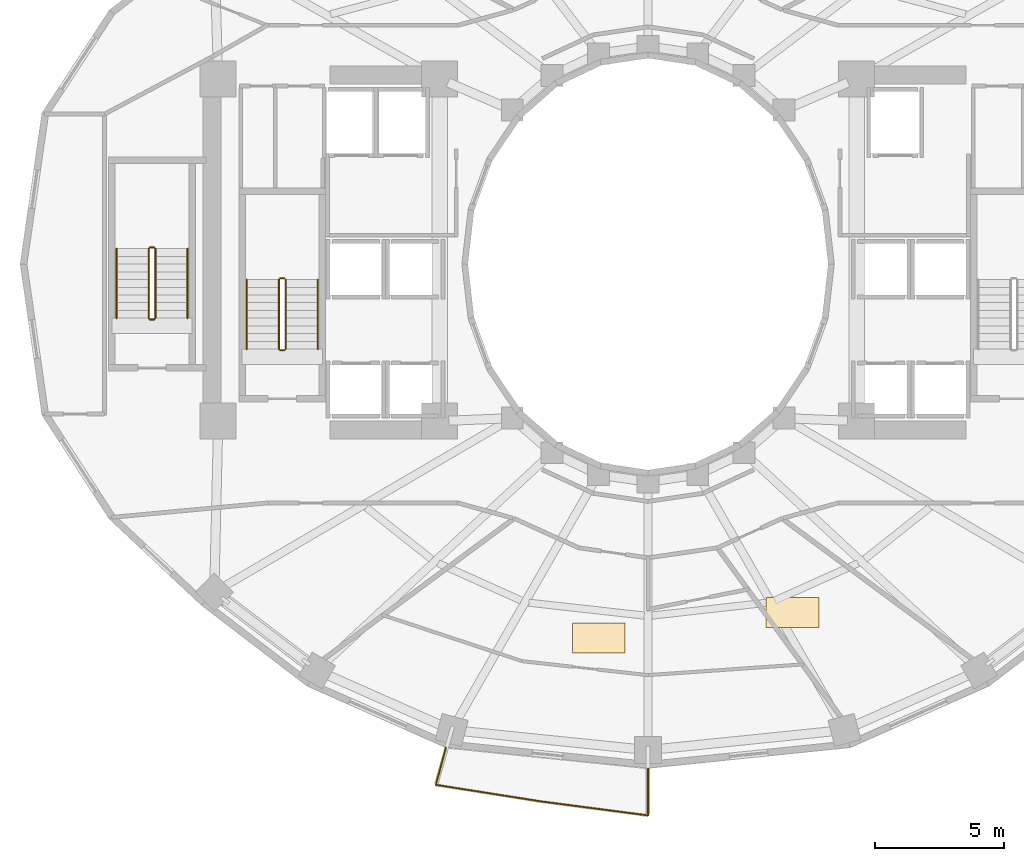
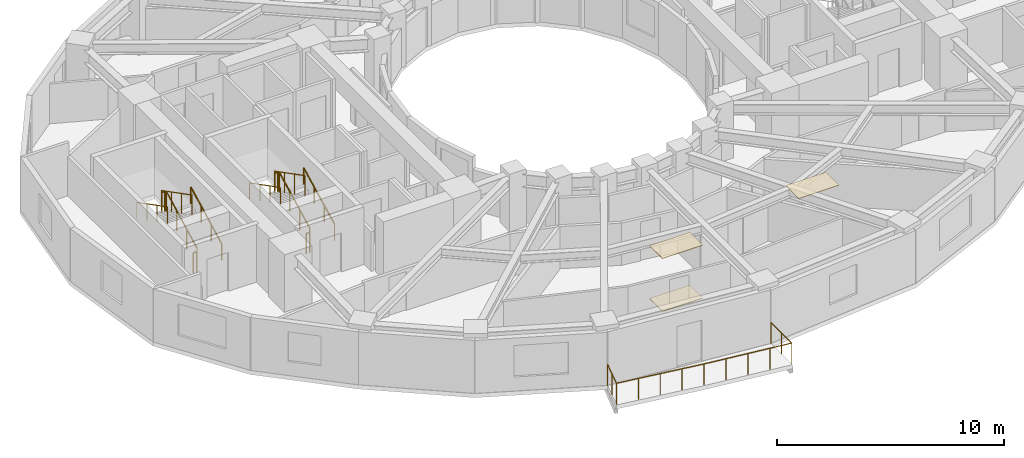
# One storey, part 8 of 9: 13 railings, 3 coverings.
"""IFC4 building model written with IfcOpenShell, lengths in metres."""

import ifcopenshell
import ifcopenshell.guid

model = None  # the IFC model being written
_history = None  # IfcOwnerHistory: only IFC2X3 demands one
_inside = {}  # id of a spatial element -> (the spatial element, [elements in it])
_under = {}  # id of a project, library or spatial element -> (it, [spatial elements below it])
_declared = {}  # id of a project -> (the project, [libraries it declares])
_typed = {}  # id of a type object -> (the type object, [elements of that type])
_made_of = {}  # id of a material, layer set ... -> (it, [elements and type objects made of it])


def new_model(schema):
    """Start an empty IFC model of exactly this schema.

    Asked for "IFC4X3", IfcOpenShell would pick the latest addendum, in which some entities
    have other attributes; the version numbers below select the first issue.
    IFC2X3 requires an IfcOwnerHistory on every rooted entity: one is made here for all.
    """
    global model, _history
    if schema == "IFC4X3":
        model = ifcopenshell.file(schema_version=(4, 3, 0, 0))
    else:
        model = ifcopenshell.file(schema=schema)
    _inside.clear()
    _under.clear()
    _declared.clear()
    _typed.clear()
    _made_of.clear()
    _history = None
    if model.schema == "IFC2X3":
        org = make("IfcOrganization", Name="unknown")
        user = make(
            "IfcPersonAndOrganization",
            ThePerson=make("IfcPerson", FamilyName="unknown"),
            TheOrganization=org,
        )
        app = make(
            "IfcApplication",
            ApplicationDeveloper=org,
            Version="unknown",
            ApplicationFullName="unknown",
            ApplicationIdentifier="unknown",
        )
        _history = make(
            "IfcOwnerHistory",
            OwningUser=user,
            OwningApplication=app,
            ChangeAction="ADDED",
            CreationDate=0,
        )
    return model


def make(cls, **values):
    """One entity of the class cls with the attributes given. An attribute that is None is left unset."""
    return model.create_entity(
        cls, **{name: value for name, value in values.items() if value is not None}
    )


def rooted(cls, **values):
    """An entity with a GlobalId (a new one), such as an element, a storey or a relation."""
    return make(cls, GlobalId=ifcopenshell.guid.new(), OwnerHistory=_history, **values)


def si_unit(unit_type, name, prefix=None):
    """IfcSIUnit, for example si_unit("LENGTHUNIT", "METRE", prefix="MILLI")."""
    return make("IfcSIUnit", UnitType=unit_type, Prefix=prefix, Name=name)


def assignment(units):
    """IfcUnitAssignment: the units of a project."""
    return None if units is None else make("IfcUnitAssignment", Units=units)


def point(xyz):
    """IfcCartesianPoint."""
    return None if xyz is None else make("IfcCartesianPoint", Coordinates=xyz)


def direction(xyz):
    """IfcDirection."""
    return None if xyz is None else make("IfcDirection", DirectionRatios=xyz)


def frame(location, z_axis=None, x_axis=None):
    """IfcAxis2Placement3D, a coordinate frame: its origin and axes. An axis left out is left unset."""
    return make(
        "IfcAxis2Placement3D",
        Location=point(location),
        Axis=direction(z_axis),
        RefDirection=direction(x_axis),
    )


def frame_2d(location, x_axis=None):
    """IfcAxis2Placement2D, a coordinate frame in the plane: its origin and x axis."""
    return make(
        "IfcAxis2Placement2D", Location=point(location), RefDirection=direction(x_axis)
    )


def origin():
    """The frame at (0, 0, 0) with its axes left unset."""
    return frame((0.0, 0.0, 0.0))


def origin_2d():
    """The frame at (0, 0) in the plane with its x axis left unset."""
    return frame_2d((0.0, 0.0))


def place(relative_to, where):
    """IfcLocalPlacement: puts the frame where relative to a parent placement (None: the world)."""
    return make(
        "IfcLocalPlacement", PlacementRelTo=relative_to, RelativePlacement=where
    )


def context(
    kind, dimensions, precision=None, world=None, true_north=None, identifier=None
):
    """IfcGeometricRepresentationContext, for example the 3D "Model" context."""
    return make(
        "IfcGeometricRepresentationContext",
        ContextIdentifier=identifier,
        ContextType=kind,
        CoordinateSpaceDimension=dimensions,
        Precision=precision,
        WorldCoordinateSystem=world,
        TrueNorth=true_north,
    )


def subcontext(parent, identifier, kind, view, scale=None):
    """IfcGeometricRepresentationSubContext, for example "Body" below "Model"."""
    return make(
        "IfcGeometricRepresentationSubContext",
        ContextIdentifier=identifier,
        ContextType=kind,
        ParentContext=parent,
        TargetScale=scale,
        TargetView=view,
    )


def project(units=None, contexts=None):
    """IfcProject with its units and contexts."""
    return rooted(
        "IfcProject",
        Name="project",
        RepresentationContexts=contexts,
        UnitsInContext=assignment(units),
    )


def spatial(cls, under=None, at=None, **own):
    """A site, building, storey or space (cls), placed at a placement, below another one or the project."""
    s = rooted(cls, ObjectPlacement=at, **own)
    if under is not None:
        _under.setdefault(under.id(), (under, []))[1].append(s)
    return s


def polyline(points):
    """IfcPolyline through the points."""
    return make("IfcPolyline", Points=[point(p) for p in points])


def profile(cls, at=None, kind="AREA", **sizes):
    """A parametric profile (cls). Its sizes go by their IFC names, for example OverallWidth=200.0."""
    return make(cls, ProfileType=kind, Position=at, **sizes)


def circle(**sizes):
    """IfcCircleProfileDef."""
    return profile("IfcCircleProfileDef", **sizes)


def outline(outer, holes=None, kind="AREA"):
    """IfcArbitraryClosedProfileDef: a profile drawn as a closed curve; with holes, ...WithVoids."""
    if holes is None:
        return make("IfcArbitraryClosedProfileDef", ProfileType=kind, OuterCurve=outer)
    return make(
        "IfcArbitraryProfileDefWithVoids",
        ProfileType=kind,
        OuterCurve=outer,
        InnerCurves=holes,
    )


def extrude(swept, where, along, depth):
    """IfcExtrudedAreaSolid: the profile swept, set in the frame where, extruded along a direction by depth."""
    return make(
        "IfcExtrudedAreaSolid",
        SweptArea=swept,
        Position=where,
        ExtrudedDirection=direction(along),
        Depth=depth,
    )


def shape(context_of_items, identifier, shape_type, items):
    """IfcShapeRepresentation: the items that make up one representation, for example the "Body"."""
    return make(
        "IfcShapeRepresentation",
        ContextOfItems=context_of_items,
        RepresentationIdentifier=identifier,
        RepresentationType=shape_type,
        Items=items,
    )


def material(Name=None, Category=None):
    """IfcMaterial."""
    return make("IfcMaterial", Name=Name, Category=Category)


def layer(
    of_material, thickness, ventilated=None, Name=None, Category=None, Priority=None
):
    """IfcMaterialLayer: one layer of a wall or slab, of a material (None: an air gap)."""
    return make(
        "IfcMaterialLayer",
        Material=of_material,
        LayerThickness=thickness,
        IsVentilated=ventilated,
        Name=Name,
        Category=Category,
        Priority=Priority,
    )


def layer_set(layers, Name=None):
    """IfcMaterialLayerSet."""
    return make("IfcMaterialLayerSet", MaterialLayers=layers, LayerSetName=Name)


def made_of(thing, what):
    """Note that an element or type object is made of a material, layer set ...; save() writes the relation."""
    if what is not None:
        _made_of.setdefault(what.id(), (what, []))[1].append(thing)
    return thing


def type_object(cls, material=None, **own):
    """A type object (cls), such as IfcWallType, which elements share."""
    return made_of(rooted(cls, **own), material)


def element(
    cls,
    number,
    at=None,
    inside=None,
    cuts=None,
    type_object=None,
    material=None,
    context=None,
    identifier="Body",
    shape_type=None,
    held_by="IfcProductDefinitionShape",
    body=None,
    shapes=None,
    **own,
):
    """One element of the class cls, such as IfcWall. Its Tag is "e" and its number.

    at: its placement. inside: the storey or other place that contains it. cuts: it is an
    opening in that element (IfcRelVoidsElement). A single representation is given by context,
    identifier, shape_type and body (its items); several are given by shapes. held_by: the class
    of the entity that holds the representations. save() writes the other relations.
    """
    e = rooted(cls, Tag="e%d" % number, ObjectPlacement=at, **own)
    if body is not None:
        shapes = [shape(context, identifier, shape_type, body)]
    if shapes is not None:
        e.Representation = make(held_by, Representations=shapes)
    if inside is not None:
        _inside.setdefault(inside.id(), (inside, []))[1].append(e)
    if cuts is not None:
        rooted(
            "IfcRelVoidsElement", RelatingBuildingElement=cuts, RelatedOpeningElement=e
        )
    if type_object is not None:
        _typed.setdefault(type_object.id(), (type_object, []))[1].append(e)
    return made_of(e, material)


def aggregate(whole, parts):
    """IfcRelAggregates: a whole, such as a stair, and the parts it consists of."""
    return rooted("IfcRelAggregates", RelatingObject=whole, RelatedObjects=parts)


def save(model, path):
    """Write the relations noted so far, then the file.

    IfcRelAggregates (storeys below a building ...), IfcRelContainedInSpatialStructure (elements
    in a storey), IfcRelDefinesByType, IfcRelAssociatesMaterial and IfcRelDeclares: one each for
    every whole, place, type object, material and project.
    """
    for whole, parts in _under.values():
        aggregate(whole, parts)
    for where, things in _inside.values():
        rooted(
            "IfcRelContainedInSpatialStructure",
            RelatedElements=things,
            RelatingStructure=where,
        )
    for kind, things in _typed.values():
        rooted("IfcRelDefinesByType", RelatedObjects=things, RelatingType=kind)
    for what, things in _made_of.values():
        rooted("IfcRelAssociatesMaterial", RelatedObjects=things, RelatingMaterial=what)
    for by, libraries in _declared.values():
        rooted("IfcRelDeclares", RelatingContext=by, RelatedDefinitions=libraries)
    model.write(path)


model = new_model("IFC4")

# Units and contexts
model_context = context("Model", 3, precision=1e-05, world=origin(), true_north=direction((0.0, 1.0)))
body_context = subcontext(model_context, "Body", "Model", "MODEL_VIEW")
ifc_project = project(units=[si_unit("LENGTHUNIT", "METRE"), si_unit("AREAUNIT", "SQUARE_METRE"), si_unit("VOLUMEUNIT", "CUBIC_METRE"), si_unit("PLANEANGLEUNIT", "RADIAN"), si_unit("MASSUNIT", "GRAM", prefix="KILO")], contexts=[model_context])

# Site, building, storey
site_placement = place(None, origin())
site = spatial("IfcSite", under=ifc_project, at=site_placement, CompositionType="ELEMENT")
building_placement = place(site_placement, origin())
building = spatial("IfcBuilding", under=site, at=building_placement, Name="Solvane Sanctuary Tower", CompositionType="ELEMENT")
storey_placement = place(building_placement, frame((0.0, 0.0, 98.0)))
storey = spatial("IfcBuildingStorey", under=building, at=storey_placement, Name="L29", CompositionType="ELEMENT", Elevation=98.0)

# Coverings
ifc_material_1 = material(Name="Acoustic Gypsum Partition Board")
ifc_layer_1 = layer(ifc_material_1, 0.02490234375, Name="Acoustic Gypsum Partition Board")
ifc_layer_set_1 = layer_set([ifc_layer_1], Name="Acoustic Gypsum Partition Board")
covering_type_1 = type_object("IfcCoveringType", Name="Covering CLG-ACOUST", PredefinedType="CEILING", material=ifc_layer_set_1)
covering_1_placement = place(storey_placement, frame((0.0, 0.0, 2.85009765625)))
element("IfcCovering", 1, at=covering_1_placement, inside=storey, type_object=covering_type_1, Name="L29 Unit Acoustic Ceiling Panel 3", PredefinedType="CEILING", context=body_context, shape_type="SweptSolid", body=[
    extrude(outline(polyline([(29.06298828125, 7.89990234375), (31.113037109375, 7.89990234375), (31.113037109375, 9.050048828125), (29.06298828125, 9.050048828125), (29.06298828125, 7.89990234375)])), origin(), (0.0, 0.0, 1.0), 0.02978515625),
])
covering_2_placement = place(storey_placement, frame((0.0, 0.0, 2.85009765625)))
element("IfcCovering", 2, at=covering_2_placement, inside=storey, type_object=covering_type_1, Name="L29 Unit Acoustic Ceiling Panel 4", PredefinedType="CEILING", context=body_context, shape_type="SweptSolid", body=[
    extrude(outline(polyline([(36.5810546875, 8.889892578125), (38.631103515625, 8.889892578125), (38.631103515625, 10.0400390625), (36.5810546875, 10.0400390625), (36.5810546875, 8.889892578125)])), origin(), (0.0, 0.0, 1.0), 0.02978515625),
])
ifc_material_2 = material(Name="Ceramic Tile Finish")
ifc_layer_2 = layer(ifc_material_2, 0.030029296875, Name="Ceramic Tile Finish")
ifc_layer_set_2 = layer_set([ifc_layer_2], Name="Ceramic Tile Finish")
covering_type_2 = type_object("IfcCoveringType", Name="Covering FLR-TERRAZZO", PredefinedType="FLOORING", material=ifc_layer_set_2)
covering_3_placement = place(storey_placement, origin())
element("IfcCovering", 3, at=covering_3_placement, inside=storey, type_object=covering_type_2, Name="L29 Unit Terrazzo Inlay 3", PredefinedType="FLOORING", context=body_context, shape_type="SweptSolid", body=[
    extrude(outline(polyline([(29.06298828125, 7.89990234375), (31.113037109375, 7.89990234375), (31.113037109375, 9.050048828125), (29.06298828125, 9.050048828125), (29.06298828125, 7.89990234375)])), origin(), (0.0, 0.0, 1.0), 0.034912109375),
])

# Railings
ifc_material_3 = material(Name="Architectural Stainless Steel 316", Category="steel")
railing_type_1 = type_object("IfcRailingType", Name="Railing GR-BALC-1150", PredefinedType="BALUSTRADE", material=ifc_material_3)
railing_1_placement = place(storey_placement, frame((24.138671875, 4.204833984375, 0.0)))
element("IfcRailing", 4, at=railing_1_placement, inside=storey, type_object=railing_type_1, Name="L29 Wave Balcony Balustrade SC", PredefinedType="BALUSTRADE", context=body_context, shape_type="SweptSolid", body=[
    extrude(circle(Radius=0.02392578125, at=origin_2d()), frame((0.0, 0.0, 1.1259765625), z_axis=(-0.258840268967, -0.965920139122, 0.0), x_axis=(0.965920139122, -0.258840268967, 0.0)), (0.0, 0.0, 1.0), 1.483642578125),
    extrude(circle(Radius=0.02392578125, at=origin_2d()), frame((-0.384033203125, -1.43310546875, 1.1259765625), z_axis=(0.987777290248, -0.155871821923, 0.0), x_axis=(0.155871821923, 0.987777290248, 0.0)), (0.0, 0.0, 1.0), 4.144287109375),
    extrude(circle(Radius=0.02392578125, at=origin_2d()), frame((3.709716796875, -2.0791015625, 1.1259765625), z_axis=(0.991533299503, -0.129852670273, 0.0), x_axis=(0.129852670273, 0.991533299503, 0.0)), (0.0, 0.0, 1.0), 4.18701171875),
    extrude(circle(Radius=0.02392578125, at=origin_2d()), frame((7.861328125, -2.622802734375, 1.1259765625), z_axis=(0.0, 1.0, 0.0), x_axis=(-1.0, 0.0, 0.0)), (0.0, 0.0, 1.0), 1.81787109375),
    extrude(circle(Radius=0.02099609375, at=origin_2d()), origin(), (0.0, 0.0, 1.0), 1.101806640625),
    extrude(circle(Radius=0.02099609375, at=origin_2d()), frame((-0.19189453125, -0.716552734375, 0.0)), (0.0, 0.0, 1.0), 1.101806640625),
    extrude(circle(Radius=0.02099609375, at=origin_2d()), frame((-0.384033203125, -1.43310546875, 0.0)), (0.0, 0.0, 1.0), 1.101806640625),
    extrude(circle(Radius=0.02099609375, at=origin_2d()), frame((0.639404296875, -1.5947265625, 0.0)), (0.0, 0.0, 1.0), 1.101806640625),
    extrude(circle(Radius=0.02099609375, at=origin_2d()), frame((1.662841796875, -1.756103515625, 0.0)), (0.0, 0.0, 1.0), 1.101806640625),
    extrude(circle(Radius=0.02099609375, at=origin_2d()), frame((2.686279296875, -1.91748046875, 0.0)), (0.0, 0.0, 1.0), 1.101806640625),
    extrude(circle(Radius=0.02099609375, at=origin_2d()), frame((3.709716796875, -2.0791015625, 0.0)), (0.0, 0.0, 1.0), 1.101806640625),
    extrude(circle(Radius=0.02099609375, at=origin_2d()), frame((4.74755859375, -2.215087890625, 0.0)), (0.0, 0.0, 1.0), 1.101806640625),
    extrude(circle(Radius=0.02099609375, at=origin_2d()), frame((5.78564453125, -2.35107421875, 0.0)), (0.0, 0.0, 1.0), 1.101806640625),
    extrude(circle(Radius=0.02099609375, at=origin_2d()), frame((6.823486328125, -2.48681640625, 0.0)), (0.0, 0.0, 1.0), 1.101806640625),
    extrude(circle(Radius=0.02099609375, at=origin_2d()), frame((7.861328125, -2.622802734375, 0.0)), (0.0, 0.0, 1.0), 1.101806640625),
    extrude(circle(Radius=0.02099609375, at=origin_2d()), frame((7.861328125, -1.7138671875, 0.0)), (0.0, 0.0, 1.0), 1.101806640625),
    extrude(circle(Radius=0.02099609375, at=origin_2d()), frame((7.861328125, -0.804931640625, 0.0)), (0.0, 0.0, 1.0), 1.101806640625),
])
railing_2_placement = place(storey_placement, frame((17.919921875, 19.699951171875, 0.155029296875)))
element("IfcRailing", 5, at=railing_2_placement, inside=storey, type_object=railing_type_1, Name="L29 ST-1 stair guard 1", PredefinedType="BALUSTRADE", context=body_context, shape_type="SweptSolid", body=[
    extrude(circle(Radius=0.02392578125, at=origin_2d()), frame((0.0, 0.0, 1.076171875), z_axis=(0.0, 0.888419900624, 0.459031676658), x_axis=(-1.0, 0.0, 0.0)), (0.0, 0.0, 1.0), 3.0390625),
    extrude(circle(Radius=0.02099609375, at=origin_2d()), origin(), (0.0, 0.0, 1.0), 1.052001953125),
    extrude(circle(Radius=0.02099609375, at=origin_2d()), frame((0.0, 0.89990234375, 0.465087890625)), (0.0, 0.0, 1.0), 1.052001953125),
    extrude(circle(Radius=0.02099609375, at=origin_2d()), frame((0.0, 1.800048828125, 0.929931640625)), (0.0, 0.0, 1.0), 1.052001953125),
    extrude(circle(Radius=0.02099609375, at=origin_2d()), frame((0.0, 2.699951171875, 1.39501953125)), (0.0, 0.0, 1.0), 1.052001953125),
])
railing_3_placement = place(storey_placement, frame((17.8701171875, 22.449951171875, 1.550048828125)))
element("IfcRailing", 6, at=railing_3_placement, inside=storey, type_object=railing_type_1, Name="L29 ST-1 stair guard 2", PredefinedType="BALUSTRADE", context=body_context, shape_type="SweptSolid", body=[
    extrude(circle(Radius=0.02392578125, at=origin_2d()), frame((0.0, 0.0, 1.076171875), z_axis=(-1.0, 0.0, 0.0), x_axis=(0.0, -1.0, 0.0)), (0.0, 0.0, 1.0), 0.16015625),
    extrude(circle(Radius=0.02099609375, at=origin_2d()), origin(), (0.0, 0.0, 1.0), 1.052001953125),
    extrude(circle(Radius=0.02099609375, at=origin_2d()), frame((-0.16015625, 0.0, 0.0)), (0.0, 0.0, 1.0), 1.052001953125),
])
railing_4_placement = place(storey_placement, frame((17.659912109375, 22.39990234375, 1.705078125)))
element("IfcRailing", 7, at=railing_4_placement, inside=storey, type_object=railing_type_1, Name="L29 ST-1 stair guard 3", PredefinedType="BALUSTRADE", context=body_context, shape_type="SweptSolid", body=[
    extrude(circle(Radius=0.02392578125, at=origin_2d()), frame((0.0, 0.0, 1.076171875), z_axis=(0.0, -0.888419900624, 0.459031676658), x_axis=(1.0, 0.0, 0.0)), (0.0, 0.0, 1.0), 3.0390625),
    extrude(circle(Radius=0.02099609375, at=origin_2d()), origin(), (0.0, 0.0, 1.0), 1.052001953125),
    extrude(circle(Radius=0.02099609375, at=origin_2d()), frame((0.0, -0.89990234375, 0.465087890625)), (0.0, 0.0, 1.0), 1.052001953125),
    extrude(circle(Radius=0.02099609375, at=origin_2d()), frame((0.0, -1.800048828125, 0.929931640625)), (0.0, 0.0, 1.0), 1.052001953125),
    extrude(circle(Radius=0.02099609375, at=origin_2d()), frame((0.0, -2.699951171875, 1.39501953125)), (0.0, 0.0, 1.0), 1.052001953125),
])
railing_5_placement = place(storey_placement, frame((17.8701171875, 19.64990234375, 0.0)))
element("IfcRailing", 8, at=railing_5_placement, inside=storey, type_object=railing_type_1, Name="L29 ST-1 stair guard 4", PredefinedType="BALUSTRADE", context=body_context, shape_type="SweptSolid", body=[
    extrude(circle(Radius=0.02392578125, at=origin_2d()), frame((0.0, 0.0, 1.076171875), z_axis=(-1.0, 0.0, 0.0), x_axis=(0.0, -1.0, 0.0)), (0.0, 0.0, 1.0), 0.16015625),
    extrude(circle(Radius=0.02099609375, at=origin_2d()), origin(), (0.0, 0.0, 1.0), 1.052001953125),
    extrude(circle(Radius=0.02099609375, at=origin_2d()), frame((-0.16015625, 0.0, 0.0)), (0.0, 0.0, 1.0), 1.052001953125),
])
railing_6_placement = place(storey_placement, frame((12.860107421875, 20.89990234375, 0.155029296875)))
element("IfcRailing", 9, at=railing_6_placement, inside=storey, type_object=railing_type_1, Name="L29 ST-3 stair guard 1", PredefinedType="BALUSTRADE", context=body_context, shape_type="SweptSolid", body=[
    extrude(circle(Radius=0.02392578125, at=origin_2d()), frame((0.0, 0.0, 1.076171875), z_axis=(0.0, 0.888436826113, 0.458998917216), x_axis=(-1.0, 0.0, 0.0)), (0.0, 0.0, 1.0), 3.039306640625),
    extrude(circle(Radius=0.02099609375, at=origin_2d()), origin(), (0.0, 0.0, 1.0), 1.052001953125),
    extrude(circle(Radius=0.02099609375, at=origin_2d()), frame((0.0, 0.900146484375, 0.465087890625)), (0.0, 0.0, 1.0), 1.052001953125),
    extrude(circle(Radius=0.02099609375, at=origin_2d()), frame((0.0, 1.800048828125, 0.929931640625)), (0.0, 0.0, 1.0), 1.052001953125),
    extrude(circle(Radius=0.02099609375, at=origin_2d()), frame((0.0, 2.7001953125, 1.39501953125)), (0.0, 0.0, 1.0), 1.052001953125),
])
railing_7_placement = place(storey_placement, frame((12.81005859375, 23.64990234375, 1.550048828125)))
element("IfcRailing", 10, at=railing_7_placement, inside=storey, type_object=railing_type_1, Name="L29 ST-3 stair guard 2", PredefinedType="BALUSTRADE", context=body_context, shape_type="SweptSolid", body=[
    extrude(circle(Radius=0.02392578125, at=origin_2d()), frame((0.0, 0.0, 1.076171875), z_axis=(-1.0, 0.0, 0.0), x_axis=(0.0, -1.0, 0.0)), (0.0, 0.0, 1.0), 0.16015625),
    extrude(circle(Radius=0.02099609375, at=origin_2d()), origin(), (0.0, 0.0, 1.0), 1.052001953125),
    extrude(circle(Radius=0.02099609375, at=origin_2d()), frame((-0.16015625, 0.0, 0.0)), (0.0, 0.0, 1.0), 1.052001953125),
])
railing_8_placement = place(storey_placement, frame((12.60009765625, 23.60009765625, 1.705078125)))
element("IfcRailing", 11, at=railing_8_placement, inside=storey, type_object=railing_type_1, Name="L29 ST-3 stair guard 3", PredefinedType="BALUSTRADE", context=body_context, shape_type="SweptSolid", body=[
    extrude(circle(Radius=0.02392578125, at=origin_2d()), frame((0.0, 0.0, 1.076171875), z_axis=(0.0, -0.888436826113, 0.458998917216), x_axis=(1.0, 0.0, 0.0)), (0.0, 0.0, 1.0), 3.039306640625),
    extrude(circle(Radius=0.02099609375, at=origin_2d()), origin(), (0.0, 0.0, 1.0), 1.052001953125),
    extrude(circle(Radius=0.02099609375, at=origin_2d()), frame((0.0, -0.900146484375, 0.465087890625)), (0.0, 0.0, 1.0), 1.052001953125),
    extrude(circle(Radius=0.02099609375, at=origin_2d()), frame((0.0, -1.800048828125, 0.929931640625)), (0.0, 0.0, 1.0), 1.052001953125),
    extrude(circle(Radius=0.02099609375, at=origin_2d()), frame((0.0, -2.7001953125, 1.39501953125)), (0.0, 0.0, 1.0), 1.052001953125),
])
railing_9_placement = place(storey_placement, frame((12.81005859375, 20.85009765625, 0.0)))
element("IfcRailing", 12, at=railing_9_placement, inside=storey, type_object=railing_type_1, Name="L29 ST-3 stair guard 4", PredefinedType="BALUSTRADE", context=body_context, shape_type="SweptSolid", body=[
    extrude(circle(Radius=0.02392578125, at=origin_2d()), frame((0.0, 0.0, 1.076171875), z_axis=(-1.0, 0.0, 0.0), x_axis=(0.0, -1.0, 0.0)), (0.0, 0.0, 1.0), 0.16015625),
    extrude(circle(Radius=0.02099609375, at=origin_2d()), origin(), (0.0, 0.0, 1.0), 1.052001953125),
    extrude(circle(Radius=0.02099609375, at=origin_2d()), frame((-0.16015625, 0.0, 0.0)), (0.0, 0.0, 1.0), 1.052001953125),
])
railing_type_2 = type_object("IfcRailingType", Name="Railing HR-STAIR-920", PredefinedType="HANDRAIL", material=ifc_material_3)
railing_10_placement = place(storey_placement, frame((19.169921875, 19.699951171875, 0.155029296875)))
element("IfcRailing", 13, at=railing_10_placement, inside=storey, type_object=railing_type_2, Name="L29 ST-1 stair handrail 1", PredefinedType="HANDRAIL", context=body_context, shape_type="SweptSolid", body=[
    extrude(circle(Radius=0.02392578125, at=origin_2d()), frame((0.0, 0.0, 0.8759765625), z_axis=(0.0, 0.888419900624, 0.459031676658), x_axis=(-1.0, 0.0, 0.0)), (0.0, 0.0, 1.0), 3.0390625),
    extrude(circle(Radius=0.02099609375, at=origin_2d()), origin(), (0.0, 0.0, 1.0), 0.851806640625),
    extrude(circle(Radius=0.02099609375, at=origin_2d()), frame((0.0, 0.89990234375, 0.465087890625)), (0.0, 0.0, 1.0), 0.851806640625),
    extrude(circle(Radius=0.02099609375, at=origin_2d()), frame((0.0, 1.800048828125, 0.929931640625)), (0.0, 0.0, 1.0), 0.851806640625),
    extrude(circle(Radius=0.02099609375, at=origin_2d()), frame((0.0, 2.699951171875, 1.39501953125)), (0.0, 0.0, 1.0), 0.851806640625),
])
railing_11_placement = place(storey_placement, frame((16.409912109375, 22.39990234375, 1.705078125)))
element("IfcRailing", 14, at=railing_11_placement, inside=storey, type_object=railing_type_2, Name="L29 ST-1 stair handrail 2", PredefinedType="HANDRAIL", context=body_context, shape_type="SweptSolid", body=[
    extrude(circle(Radius=0.02392578125, at=origin_2d()), frame((0.0, 0.0, 0.8759765625), z_axis=(0.0, -0.888419900624, 0.459031676658), x_axis=(1.0, 0.0, 0.0)), (0.0, 0.0, 1.0), 3.0390625),
    extrude(circle(Radius=0.02099609375, at=origin_2d()), origin(), (0.0, 0.0, 1.0), 0.851806640625),
    extrude(circle(Radius=0.02099609375, at=origin_2d()), frame((0.0, -0.89990234375, 0.465087890625)), (0.0, 0.0, 1.0), 0.851806640625),
    extrude(circle(Radius=0.02099609375, at=origin_2d()), frame((0.0, -1.800048828125, 0.929931640625)), (0.0, 0.0, 1.0), 0.851806640625),
    extrude(circle(Radius=0.02099609375, at=origin_2d()), frame((0.0, -2.699951171875, 1.39501953125)), (0.0, 0.0, 1.0), 0.851806640625),
])
railing_12_placement = place(storey_placement, frame((14.110107421875, 20.89990234375, 0.155029296875)))
element("IfcRailing", 15, at=railing_12_placement, inside=storey, type_object=railing_type_2, Name="L29 ST-3 stair handrail 1", PredefinedType="HANDRAIL", context=body_context, shape_type="SweptSolid", body=[
    extrude(circle(Radius=0.02392578125, at=origin_2d()), frame((0.0, 0.0, 0.8759765625), z_axis=(0.0, 0.888436826113, 0.458998917216), x_axis=(-1.0, 0.0, 0.0)), (0.0, 0.0, 1.0), 3.039306640625),
    extrude(circle(Radius=0.02099609375, at=origin_2d()), origin(), (0.0, 0.0, 1.0), 0.851806640625),
    extrude(circle(Radius=0.02099609375, at=origin_2d()), frame((0.0, 0.900146484375, 0.465087890625)), (0.0, 0.0, 1.0), 0.851806640625),
    extrude(circle(Radius=0.02099609375, at=origin_2d()), frame((0.0, 1.800048828125, 0.929931640625)), (0.0, 0.0, 1.0), 0.851806640625),
    extrude(circle(Radius=0.02099609375, at=origin_2d()), frame((0.0, 2.7001953125, 1.39501953125)), (0.0, 0.0, 1.0), 0.851806640625),
])
railing_13_placement = place(storey_placement, frame((11.35009765625, 23.60009765625, 1.705078125)))
element("IfcRailing", 16, at=railing_13_placement, inside=storey, type_object=railing_type_2, Name="L29 ST-3 stair handrail 2", PredefinedType="HANDRAIL", context=body_context, shape_type="SweptSolid", body=[
    extrude(circle(Radius=0.02392578125, at=origin_2d()), frame((0.0, 0.0, 0.8759765625), z_axis=(0.0, -0.888436826113, 0.458998917216), x_axis=(1.0, 0.0, 0.0)), (0.0, 0.0, 1.0), 3.039306640625),
    extrude(circle(Radius=0.02099609375, at=origin_2d()), origin(), (0.0, 0.0, 1.0), 0.851806640625),
    extrude(circle(Radius=0.02099609375, at=origin_2d()), frame((0.0, -0.900146484375, 0.465087890625)), (0.0, 0.0, 1.0), 0.851806640625),
    extrude(circle(Radius=0.02099609375, at=origin_2d()), frame((0.0, -1.800048828125, 0.929931640625)), (0.0, 0.0, 1.0), 0.851806640625),
    extrude(circle(Radius=0.02099609375, at=origin_2d()), frame((0.0, -2.7001953125, 1.39501953125)), (0.0, 0.0, 1.0), 0.851806640625),
])

save(model, "model.ifc")
